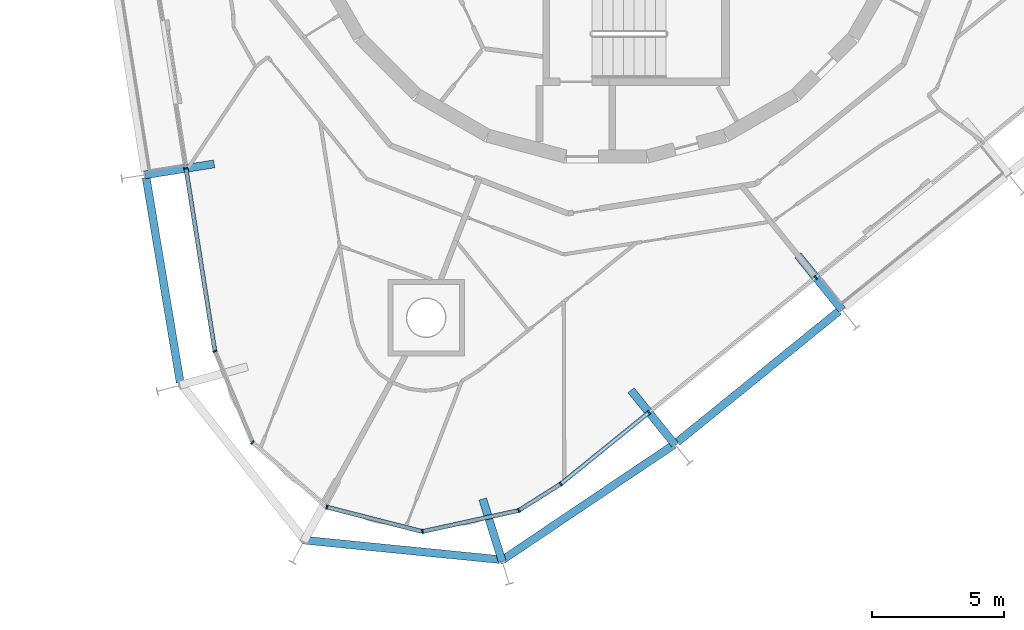
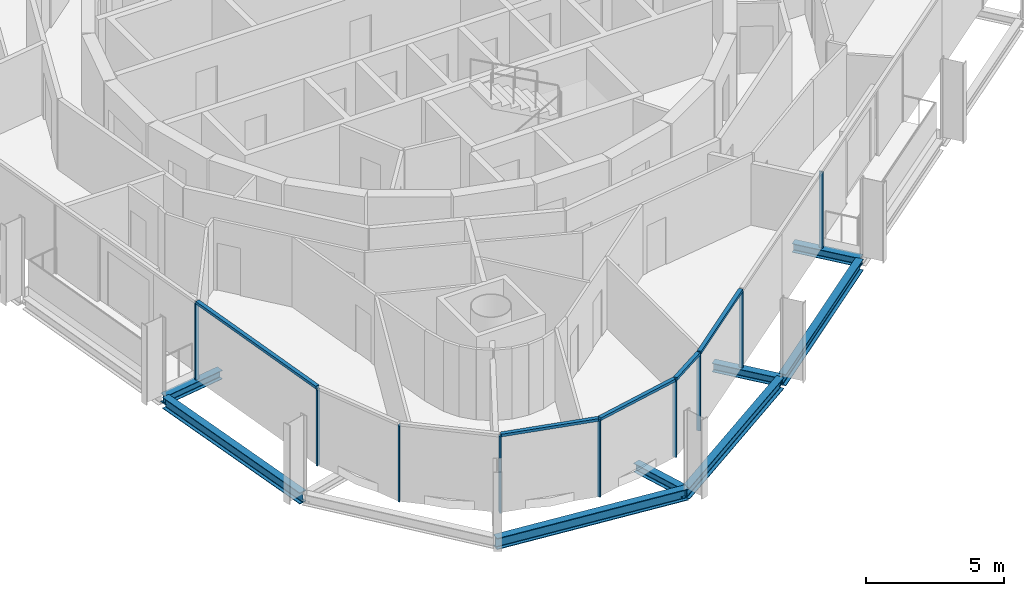
# One storey, part 2 of 18: 14 members, 8 beams, 2 elements without a shape of their own.
"""IFC4 building model written with IfcOpenShell, lengths in metres."""

from ifc_helpers import new_model, si_unit, direction, frame, origin, origin_2d, place, context, subcontext, project, spatial, rectangle, i_section, extrude, material, layer, layer_set, material_profile, profile_set, type_object, element, aggregate, save


model = new_model("IFC4")

# Units and contexts
model_context = context("Model", 3, precision=1e-05, world=origin(), true_north=direction((0.0, 1.0)))
body_context = subcontext(model_context, "Body", "Model", "MODEL_VIEW")
ifc_project = project(units=[si_unit("LENGTHUNIT", "METRE"), si_unit("AREAUNIT", "SQUARE_METRE"), si_unit("VOLUMEUNIT", "CUBIC_METRE"), si_unit("PLANEANGLEUNIT", "RADIAN"), si_unit("MASSUNIT", "GRAM", prefix="KILO")], contexts=[model_context])

# Site, building, storey
site_placement = place(None, origin())
site = spatial("IfcSite", under=ifc_project, at=site_placement, CompositionType="ELEMENT")
building_placement = place(site_placement, origin())
building = spatial("IfcBuilding", under=site, at=building_placement, Name="Spindle Arch Residences", CompositionType="ELEMENT")
storey_placement = place(building_placement, frame((0.0, 0.0, 273.89990234375)))
storey = spatial("IfcBuildingStorey", under=building, at=storey_placement, Name="L70", CompositionType="ELEMENT", Elevation=273.89990234375)

# Curtain wall, members
ifc_material_1 = material(Name="Aluminium bronze unitised frame with tinted glass", Category="aluminium")
ifc_layer_1 = layer(ifc_material_1, 0.159912109375)
ifc_layer_set_1 = layer_set([ifc_layer_1], Name="CW-D corner wall on the fillet arcs")
curtain_wall_type_1 = type_object("IfcCurtainWallType", Name="CW-D corner wall on the fillet arcs", PredefinedType="NOTDEFINED", material=ifc_layer_set_1)
curtain_wall_1_placement = place(storey_placement, origin())
curtain_wall_1 = element("IfcCurtainWall", 1, at=curtain_wall_1_placement, inside=storey, type_object=curtain_wall_type_1, Name="CW-D L70 run 5", PredefinedType="NOTDEFINED")
ifc_material_2 = material(Name="Aluminium bronze anodised mullion", Category="aluminium")
ifc_material_profile_1 = material_profile(ifc_material_2, rectangle(XDim=0.159912109375, YDim=0.06005859375, at=origin_2d()), Name="MU 60x160")
ifc_profile_set_1 = profile_set([ifc_material_profile_1], Name="Aluminium bronze anodised mullion")
member_type_1 = type_object("IfcMemberType", Name="Bronze mullion 60x160", PredefinedType="MULLION", material=ifc_profile_set_1)
member_1_placement = place(storey_placement, frame((-15.880615234375, -12.092041015625, -0.3798828125), z_axis=(0.0, 0.0, 1.0), x_axis=(0.987688340595, 0.15643446504, 0.0)))
member_1 = element("IfcMember", 2, at=member_1_placement, type_object=member_type_1, Name="CW-D mullion 00", PredefinedType="MULLION", context=body_context, shape_type="SweptSolid", body=[
    extrude(rectangle(XDim=0.159912109375, YDim=0.06005859375, at=origin_2d()), origin(), (0.0, 0.0, 1.0), 3.3798828125),
])
member_2_placement = place(storey_placement, frame((-14.787109375, -18.99560546875, -0.3798828125), z_axis=(0.0, 0.0, 1.0), x_axis=(0.92498880334, 0.379994360085, 0.0)))
member_2 = element("IfcMember", 3, at=member_2_placement, type_object=member_type_1, Name="CW-D mullion 01", PredefinedType="MULLION", context=body_context, shape_type="SweptSolid", body=[
    extrude(rectangle(XDim=0.159912109375, YDim=0.06005859375, at=origin_2d()), origin(), (0.0, 0.0, 1.0), 3.3798828125),
])
member_3_placement = place(storey_placement, frame((-13.370849609375, -22.44287109375, -0.3798828125), z_axis=(0.0, 0.0, 1.0), x_axis=(0.656059025711, 0.754709583074, 0.0)))
member_3 = element("IfcMember", 4, at=member_3_placement, type_object=member_type_1, Name="CW-D mullion 02", PredefinedType="MULLION", context=body_context, shape_type="SweptSolid", body=[
    extrude(rectangle(XDim=0.159912109375, YDim=0.06005859375, at=origin_2d()), origin(), (0.0, 0.0, 1.0), 3.3798828125),
])
member_4_placement = place(storey_placement, frame((-10.558349609375, -24.887939453125, -0.3798828125), z_axis=(0.0, 0.0, 1.0), x_axis=(0.247562720743, 0.968871869392, 0.0)))
member_4 = element("IfcMember", 5, at=member_4_placement, type_object=member_type_1, Name="CW-D mullion 03", PredefinedType="MULLION", context=body_context, shape_type="SweptSolid", body=[
    extrude(rectangle(XDim=0.159912109375, YDim=0.06005859375, at=origin_2d()), origin(), (0.0, 0.0, 1.0), 3.3798828125),
])
member_5_placement = place(storey_placement, frame((-6.947509765625, -25.810546875, -0.3798828125), z_axis=(0.0, 0.0, 1.0), x_axis=(-0.213598770213, 0.976921473489, 0.0)))
member_5 = element("IfcMember", 6, at=member_5_placement, type_object=member_type_1, Name="CW-D mullion 04", PredefinedType="MULLION", context=body_context, shape_type="SweptSolid", body=[
    extrude(rectangle(XDim=0.159912109375, YDim=0.06005859375, at=origin_2d()), origin(), (0.0, 0.0, 1.0), 3.3798828125),
])
member_6_placement = place(storey_placement, frame((-3.306884765625, -25.014404296875, -0.3798828125), z_axis=(0.0, 0.0, 1.0), x_axis=(-0.53484401224, 0.844950816658, 0.0)))
member_6 = element("IfcMember", 7, at=member_6_placement, type_object=member_type_1, Name="CW-D mullion 05", PredefinedType="MULLION", context=body_context, shape_type="SweptSolid", body=[
    extrude(rectangle(XDim=0.159912109375, YDim=0.06005859375, at=origin_2d()), origin(), (0.0, 0.0, 1.0), 3.3798828125),
])
member_7_placement = place(storey_placement, frame((-1.7216796875, -24.010986328125, -0.3798828125), z_axis=(0.0, 0.0, 1.0), x_axis=(-0.62932039105, 0.777145961457, 0.0)))
member_7 = element("IfcMember", 8, at=member_7_placement, type_object=member_type_1, Name="CW-D mullion 06", PredefinedType="MULLION", context=body_context, shape_type="SweptSolid", body=[
    extrude(rectangle(XDim=0.159912109375, YDim=0.06005859375, at=origin_2d()), origin(), (0.0, 0.0, 1.0), 3.3798828125),
])

ifc_material_3 = material(Name="Aluminium bronze unitised frame with tinted glass", Category="aluminium")
ifc_layer_2 = layer(ifc_material_3, 0.159912109375)
ifc_layer_set_2 = layer_set([ifc_layer_2], Name="CW-C typical residential unitised wall")
curtain_wall_type_2 = type_object("IfcCurtainWallType", Name="CW-C typical residential unitised wall", PredefinedType="NOTDEFINED", material=ifc_layer_set_2)
curtain_wall_2_placement = place(storey_placement, origin())
curtain_wall_2 = element("IfcCurtainWall", 9, at=curtain_wall_2_placement, inside=storey, type_object=curtain_wall_type_2, Name="CW-C L70 run 6", PredefinedType="NOTDEFINED")
member_8_placement = place(storey_placement, frame((1.610107421875, -21.31298828125, -0.3798828125), z_axis=(0.0, 0.0, 1.0), x_axis=(-0.62932039105, 0.777145961457, 0.0)))
member_8 = element("IfcMember", 10, at=member_8_placement, type_object=member_type_1, Name="CW-C mullion 18", PredefinedType="MULLION", context=body_context, shape_type="SweptSolid", body=[
    extrude(rectangle(XDim=0.159912109375, YDim=0.06005859375, at=origin_2d()), origin(), (0.0, 0.0, 1.0), 3.3798828125),
])
member_9_placement = place(storey_placement, frame((7.910888671875, -16.210693359375, -0.3798828125), z_axis=(0.0, 0.0, 1.0), x_axis=(-0.62932039105, 0.777145961457, 0.0)))
member_9 = element("IfcMember", 11, at=member_9_placement, type_object=member_type_1, Name="CW-C mullion 19", PredefinedType="MULLION", context=body_context, shape_type="SweptSolid", body=[
    extrude(rectangle(XDim=0.159912109375, YDim=0.06005859375, at=origin_2d()), origin(), (0.0, 0.0, 1.0), 3.3798828125),
])
aggregate(curtain_wall_2, [member_8, member_9])

# Member
ifc_material_4 = material(Name="Aluminium bronze anodised transom", Category="aluminium")
ifc_material_profile_2 = material_profile(ifc_material_4, rectangle(XDim=0.159912109375, YDim=0.1201171875, at=origin_2d()), Name="TR 120x160")
ifc_profile_set_2 = profile_set([ifc_material_profile_2], Name="Aluminium bronze anodised transom")
member_type_2 = type_object("IfcMemberType", Name="Bronze transom 120x160", PredefinedType="USERDEFINED", material=ifc_profile_set_2)
member_10_placement = place(storey_placement, frame((-15.875732421875, -12.12158203125, 3.06005859375), z_axis=(0.156423886955, -0.987690015941, 0.0), x_axis=(0.987690015941, 0.156423886955, 0.0)))
member_10 = element("IfcMember", 12, at=member_10_placement, type_object=member_type_2, Name="CW-D transom 00", ObjectType="TRANSOM", PredefinedType="USERDEFINED", context=body_context, shape_type="SweptSolid", body=[
    extrude(rectangle(XDim=0.159912109375, YDim=0.1201171875, at=origin_2d()), origin(), (0.0, 0.0, 1.0), 6.9296875),
])

member_11_placement = place(storey_placement, frame((-10.529296875, -24.895263671875, 3.06005859375), z_axis=(0.968876271824, -0.247545490561, 0.0), x_axis=(0.247545490561, 0.968876271824, 0.0)))
member_11 = element("IfcMember", 13, at=member_11_placement, type_object=member_type_2, Name="CW-D transom 03", ObjectType="TRANSOM", PredefinedType="USERDEFINED", context=body_context, shape_type="SweptSolid", body=[
    extrude(rectangle(XDim=0.159912109375, YDim=0.1201171875, at=origin_2d()), origin(), (0.0, 0.0, 1.0), 3.666748046875),
])

member_12_placement = place(storey_placement, frame((-6.918212890625, -25.803955078125, 3.06005859375), z_axis=(0.976920862917, 0.213601562721, 0.0), x_axis=(-0.213601562721, 0.976920862917, 0.0)))
member_12 = element("IfcMember", 14, at=member_12_placement, type_object=member_type_2, Name="CW-D transom 04", ObjectType="TRANSOM", PredefinedType="USERDEFINED", context=body_context, shape_type="SweptSolid", body=[
    extrude(rectangle(XDim=0.159912109375, YDim=0.1201171875, at=origin_2d()), origin(), (0.0, 0.0, 1.0), 3.666748046875),
])

member_13_placement = place(storey_placement, frame((-3.281494140625, -24.998291015625, 3.06005859375), z_axis=(0.844970968959, 0.534812174148, 0.0), x_axis=(-0.534812174148, 0.844970968959, 0.0)))
member_13 = element("IfcMember", 15, at=member_13_placement, type_object=member_type_2, Name="CW-D transom 05", ObjectType="TRANSOM", PredefinedType="USERDEFINED", context=body_context, shape_type="SweptSolid", body=[
    extrude(rectangle(XDim=0.159912109375, YDim=0.1201171875, at=origin_2d()), origin(), (0.0, 0.0, 1.0), 1.81591796875),
])

member_14_placement = place(storey_placement, frame((-1.6982421875, -23.9921875, 3.06005859375), z_axis=(0.777130537676, 0.629339437356, 0.0), x_axis=(-0.629339437356, 0.777130537676, 0.0)))
member_14 = element("IfcMember", 16, at=member_14_placement, type_object=member_type_2, Name="CW-D transom 06", ObjectType="TRANSOM", PredefinedType="USERDEFINED", context=body_context, shape_type="SweptSolid", body=[
    extrude(rectangle(XDim=0.159912109375, YDim=0.1201171875, at=origin_2d()), origin(), (0.0, 0.0, 1.0), 4.227294921875),
])

aggregate(curtain_wall_1, [member_1, member_10, member_2, member_3, member_4, member_11, member_5, member_12, member_6, member_13, member_7, member_14])

# Beams
ifc_material_5 = material(Name="Steel S460ML, intumescent coating R 120", Category="steel")
ifc_material_profile_3 = material_profile(ifc_material_5, i_section(OverallWidth=0.300048828125, OverallDepth=0.5, WebThickness=0.014404296875, FlangeThickness=0.028076171875, FilletRadius=0.027099609375, at=origin_2d()), Name="HEB 500")
ifc_profile_set_3 = profile_set([ifc_material_profile_3], Name="Steel S460ML, intumescent coating R 120")
beam_type_1 = type_object("IfcBeamType", Name="Exoskeleton edge beam HEB 500", PredefinedType="BEAM", material=ifc_profile_set_3)
beam_1_placement = place(storey_placement, frame((-17.385009765625, -12.43505859375, -0.6298828125), z_axis=(0.16393470778, -0.986471191462, 0.0), x_axis=(0.986471191462, 0.16393470778, 0.0)))
element("IfcBeam", 17, at=beam_1_placement, inside=storey, type_object=beam_type_1, Name="Exoskeleton edge beam 15", PredefinedType="BEAM", context=body_context, shape_type="SweptSolid", body=[
    extrude(i_section(OverallWidth=0.300048828125, OverallDepth=0.5, WebThickness=0.014404296875, FlangeThickness=0.028076171875, FilletRadius=0.027099609375, at=origin_2d()), origin(), (0.0, 0.0, 1.0), 7.845458984375),
])
beam_2_placement = place(storey_placement, frame((-11.474609375, -26.12890625, -0.6298828125), z_axis=(0.99510851629, -0.098787857593, 0.0), x_axis=(0.098787857593, 0.99510851629, 0.0)))
element("IfcBeam", 18, at=beam_2_placement, inside=storey, type_object=beam_type_1, Name="Exoskeleton edge beam 17", PredefinedType="BEAM", context=body_context, shape_type="SweptSolid", body=[
    extrude(i_section(OverallWidth=0.300048828125, OverallDepth=0.5, WebThickness=0.014404296875, FlangeThickness=0.028076171875, FilletRadius=0.027099609375, at=origin_2d()), origin(), (0.0, 0.0, 1.0), 7.631591796875),
])
beam_3_placement = place(storey_placement, frame((-3.9169921875, -26.877685546875, -0.6298828125), z_axis=(0.829907876947, 0.557900453291, 0.0), x_axis=(-0.557900453291, 0.829907876947, 0.0)))
element("IfcBeam", 19, at=beam_3_placement, inside=storey, type_object=beam_type_1, Name="Exoskeleton edge beam 18", PredefinedType="BEAM", context=body_context, shape_type="SweptSolid", body=[
    extrude(i_section(OverallWidth=0.300048828125, OverallDepth=0.5, WebThickness=0.014404296875, FlangeThickness=0.028076171875, FilletRadius=0.027099609375, at=origin_2d()), origin(), (0.0, 0.0, 1.0), 7.7890625),
])
beam_4_placement = place(storey_placement, frame((2.680419921875, -22.427978515625, -0.6298828125), z_axis=(0.777152125993, 0.629312778406, 0.0), x_axis=(-0.629312778406, 0.777152125993, 0.0)))
element("IfcBeam", 20, at=beam_4_placement, inside=storey, type_object=beam_type_1, Name="Exoskeleton edge beam 19", PredefinedType="BEAM", context=body_context, shape_type="SweptSolid", body=[
    extrude(i_section(OverallWidth=0.300048828125, OverallDepth=0.5, WebThickness=0.014404296875, FlangeThickness=0.028076171875, FilletRadius=0.027099609375, at=origin_2d()), origin(), (0.0, 0.0, 1.0), 7.847412109375),
])
ifc_material_6 = material(Name="Steel S460ML, intumescent coating R 120", Category="steel")
ifc_material_profile_4 = material_profile(ifc_material_6, i_section(OverallWidth=0.300048828125, OverallDepth=0.389892578125, WebThickness=0.010986328125, FlangeThickness=0.01904296875, FilletRadius=0.027099609375, at=origin_2d()), Name="HEA 400")
ifc_profile_set_4 = profile_set([ifc_material_profile_4], Name="Steel S460ML, intumescent coating R 120")
beam_type_2 = type_object("IfcBeamType", Name="Floor outrigger HEA 400", PredefinedType="BEAM", material=ifc_profile_set_4)
beam_5_placement = place(storey_placement, frame((-17.43115234375, -12.337646484375, -0.574951171875), z_axis=(0.987688904051, 0.156430907479, 0.0), x_axis=(-0.156430907479, 0.987688904051, 0.0)))
element("IfcBeam", 21, at=beam_5_placement, inside=storey, type_object=beam_type_2, Name="Floor outrigger 15", PredefinedType="BEAM", context=body_context, shape_type="SweptSolid", body=[
    extrude(i_section(OverallWidth=0.300048828125, OverallDepth=0.389892578125, WebThickness=0.010986328125, FlangeThickness=0.01904296875, FilletRadius=0.027099609375, at=origin_2d()), origin(), (0.0, 0.0, 1.0), 2.650146484375),
])
beam_6_placement = place(storey_placement, frame((-3.932373046875, -26.943603515625, -0.574951171875), z_axis=(-0.297848736129, 0.954613078889, 0.0), x_axis=(-0.954613078889, -0.297848736129, 0.0)))
element("IfcBeam", 22, at=beam_6_placement, inside=storey, type_object=beam_type_2, Name="Floor outrigger 18", PredefinedType="BEAM", context=body_context, shape_type="SweptSolid", body=[
    extrude(i_section(OverallWidth=0.300048828125, OverallDepth=0.389892578125, WebThickness=0.010986328125, FlangeThickness=0.01904296875, FilletRadius=0.027099609375, at=origin_2d()), origin(), (0.0, 0.0, 1.0), 2.478759765625),
])
for number, where, z_axis, x_axis, name in (
    (23, (2.59814453125, -22.533203125, -0.574951171875), (-0.629301579077, 0.777161194715, 0.0), (-0.777161194715, -0.629301579077, 0.0), "Floor outrigger 19"),
    (24, (8.89892578125, -17.430908203125, -0.574951171875), (-0.629301579077, 0.777161194715, 0.0), (-0.777161194715, -0.629301579077, 0.0), "Floor outrigger 20"),
):
    element("IfcBeam", number, at=place(storey_placement, frame(where, z_axis=z_axis, x_axis=x_axis)), inside=storey, type_object=beam_type_2, Name=name, PredefinedType="BEAM", context=body_context, shape_type="SweptSolid", body=[
        extrude(i_section(OverallWidth=0.300048828125, OverallDepth=0.389892578125, WebThickness=0.010986328125, FlangeThickness=0.01904296875, FilletRadius=0.027099609375, at=origin_2d()), origin(), (0.0, 0.0, 1.0), 2.650146484375),
    ])

save(model, "model.ifc")
